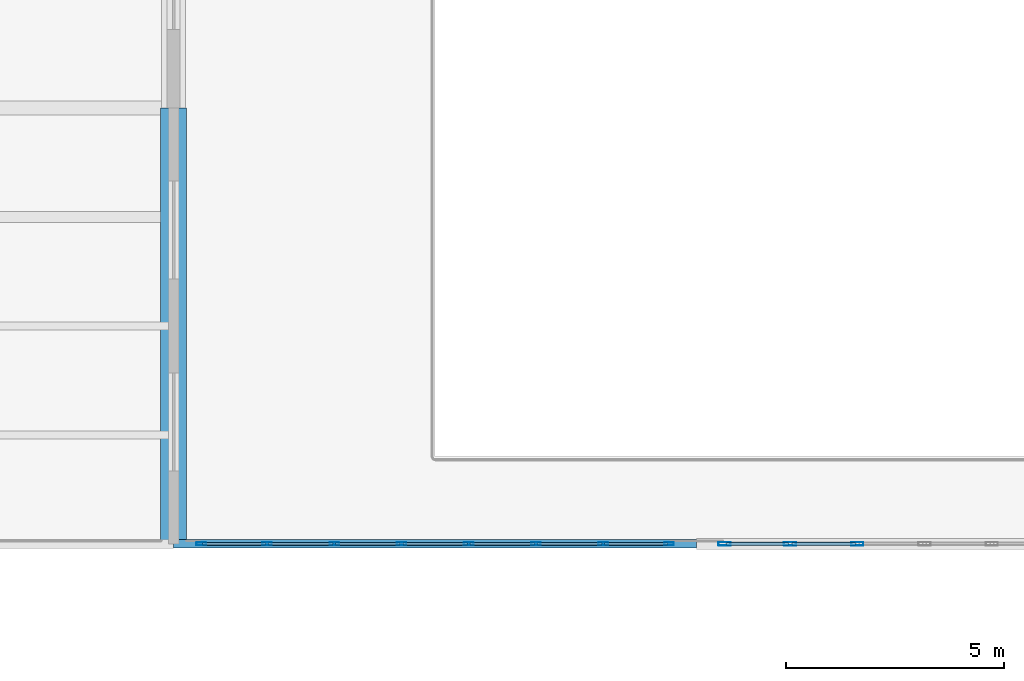
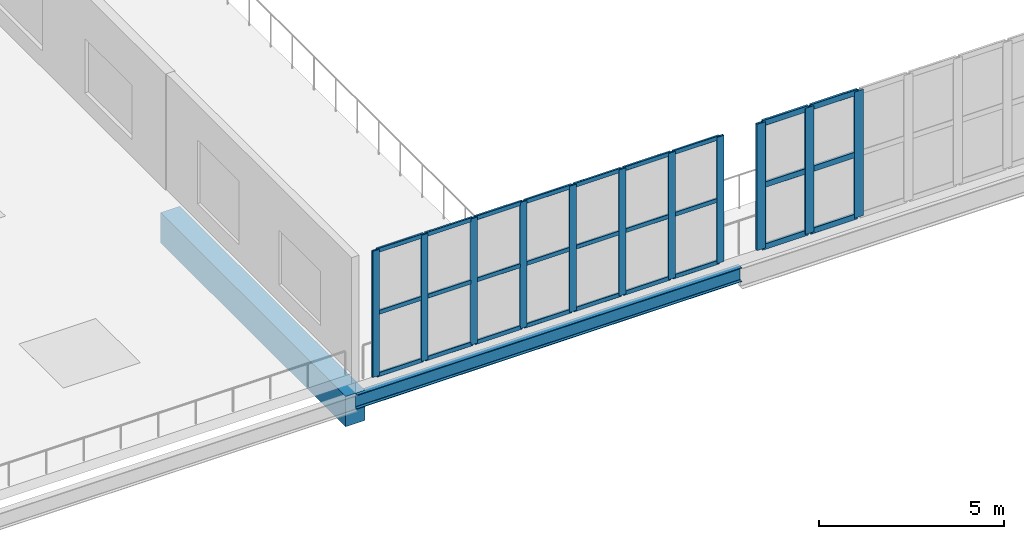
# One storey, part 3 of 90: 38 members, 2 beams, 2 elements without a shape of their own.
"""IFC4 building model written with IfcOpenShell, lengths in metres."""

from ifc_helpers import new_model, si_unit, direction, frame, origin, origin_2d, place, context, subcontext, project, spatial, rectangle, hollow_rectangle, i_section, extrude, material, layer, layer_set, material_profile, profile_set, type_object, element, aggregate, save


model = new_model("IFC4")

# Units and contexts
model_context = context("Model", 3, precision=1e-05, world=origin(), true_north=direction((0.0, 1.0)))
body_context = subcontext(model_context, "Body", "Model", "MODEL_VIEW")
ifc_project = project(units=[si_unit("LENGTHUNIT", "METRE"), si_unit("AREAUNIT", "SQUARE_METRE"), si_unit("VOLUMEUNIT", "CUBIC_METRE"), si_unit("PLANEANGLEUNIT", "RADIAN"), si_unit("MASSUNIT", "GRAM", prefix="KILO")], contexts=[model_context])

# Site, building, storey
site_placement = place(None, origin())
site = spatial("IfcSite", under=ifc_project, at=site_placement, CompositionType="ELEMENT")
building_placement = place(site_placement, origin())
building = spatial("IfcBuilding", under=site, at=building_placement, Name="Brinegate Civic Arena", CompositionType="ELEMENT")
storey_placement = place(building_placement, frame((0.0, 0.0, 14.699951171875)))
storey = spatial("IfcBuildingStorey", under=building, at=storey_placement, Name="L03", CompositionType="ELEMENT", Elevation=14.699951171875)

# Curtain wall, members
ifc_material_1 = material(Name="Marine grade aluminium", Category="aluminium")
ifc_layer = layer(ifc_material_1, 0.18505859375, Name="Marine grade aluminium")
ifc_layer_set = layer_set([ifc_layer], Name="Marine grade aluminium")
curtain_wall_type = type_object("IfcCurtainWallType", Name="CW-WING-GLAZED-03", PredefinedType="USERDEFINED", material=ifc_layer_set)
curtain_wall_1_placement = place(storey_placement, origin())
curtain_wall_1 = element("IfcCurtainWall", 1, at=curtain_wall_1_placement, inside=storey, type_object=curtain_wall_type, Name="Curtain Wall CWA-027", ObjectType="GLAZED CURTAIN WALL", PredefinedType="USERDEFINED")
ifc_material_profile_1 = material_profile(ifc_material_1, hollow_rectangle(XDim=0.06494140625, YDim=0.219970703125, WallThickness=0.006103515625, InnerFilletRadius=0.00390625, OuterFilletRadius=0.008056640625, at=origin_2d()), Name="MUL65X220")
ifc_profile_set_1 = profile_set([ifc_material_profile_1], Name="Marine grade aluminium")
member_type_1 = type_object("IfcMemberType", Name="CW-MULLION-65X220", PredefinedType="MULLION", material=ifc_profile_set_1)
member_1_placement = place(storey_placement, frame((12.632568359375, 10.0, 0.0), z_axis=(0.0, 0.0, 1.0), x_axis=(0.0, 1.0, 0.0)))
member_1 = element("IfcMember", 2, at=member_1_placement, type_object=member_type_1, Name="CWA-027 mullion 1", PredefinedType="MULLION", context=body_context, shape_type="SweptSolid", body=[
    extrude(hollow_rectangle(XDim=0.06494140625, YDim=0.219970703125, WallThickness=0.006103515625, InnerFilletRadius=0.00390625, OuterFilletRadius=0.008056640625, at=origin_2d()), origin(), (0.0, 0.0, 1.0), 4.16015625),
])
member_2_placement = place(storey_placement, frame((14.142822265625, 10.0, 0.0), z_axis=(0.0, 0.0, 1.0), x_axis=(0.0, 1.0, 0.0)))
member_2 = element("IfcMember", 3, at=member_2_placement, type_object=member_type_1, Name="CWA-027 mullion 2", PredefinedType="MULLION", context=body_context, shape_type="SweptSolid", body=[
    extrude(hollow_rectangle(XDim=0.06494140625, YDim=0.219970703125, WallThickness=0.006103515625, InnerFilletRadius=0.00390625, OuterFilletRadius=0.008056640625, at=origin_2d()), origin(), (0.0, 0.0, 1.0), 4.16015625),
])
member_3_placement = place(storey_placement, frame((15.685791015625, 10.0, 0.0), z_axis=(0.0, 0.0, 1.0), x_axis=(0.0, 1.0, 0.0)))
member_3 = element("IfcMember", 4, at=member_3_placement, type_object=member_type_1, Name="CWA-027 mullion 3", PredefinedType="MULLION", context=body_context, shape_type="SweptSolid", body=[
    extrude(hollow_rectangle(XDim=0.06494140625, YDim=0.219970703125, WallThickness=0.006103515625, InnerFilletRadius=0.00390625, OuterFilletRadius=0.008056640625, at=origin_2d()), origin(), (0.0, 0.0, 1.0), 4.16015625),
])
member_4_placement = place(storey_placement, frame((17.228515625, 10.0, 0.0), z_axis=(0.0, 0.0, 1.0), x_axis=(0.0, 1.0, 0.0)))
member_4 = element("IfcMember", 5, at=member_4_placement, type_object=member_type_1, Name="CWA-027 mullion 4", PredefinedType="MULLION", context=body_context, shape_type="SweptSolid", body=[
    extrude(hollow_rectangle(XDim=0.06494140625, YDim=0.219970703125, WallThickness=0.006103515625, InnerFilletRadius=0.00390625, OuterFilletRadius=0.008056640625, at=origin_2d()), origin(), (0.0, 0.0, 1.0), 4.16015625),
])
member_5_placement = place(storey_placement, frame((18.771484375, 10.0, 0.0), z_axis=(0.0, 0.0, 1.0), x_axis=(0.0, 1.0, 0.0)))
member_5 = element("IfcMember", 6, at=member_5_placement, type_object=member_type_1, Name="CWA-027 mullion 5", PredefinedType="MULLION", context=body_context, shape_type="SweptSolid", body=[
    extrude(hollow_rectangle(XDim=0.06494140625, YDim=0.219970703125, WallThickness=0.006103515625, InnerFilletRadius=0.00390625, OuterFilletRadius=0.008056640625, at=origin_2d()), origin(), (0.0, 0.0, 1.0), 4.16015625),
])
member_6_placement = place(storey_placement, frame((20.314208984375, 10.0, 0.0), z_axis=(0.0, 0.0, 1.0), x_axis=(0.0, 1.0, 0.0)))
member_6 = element("IfcMember", 7, at=member_6_placement, type_object=member_type_1, Name="CWA-027 mullion 6", PredefinedType="MULLION", context=body_context, shape_type="SweptSolid", body=[
    extrude(hollow_rectangle(XDim=0.06494140625, YDim=0.219970703125, WallThickness=0.006103515625, InnerFilletRadius=0.00390625, OuterFilletRadius=0.008056640625, at=origin_2d()), origin(), (0.0, 0.0, 1.0), 4.16015625),
])
member_7_placement = place(storey_placement, frame((21.857177734375, 10.0, 0.0), z_axis=(0.0, 0.0, 1.0), x_axis=(0.0, 1.0, 0.0)))
member_7 = element("IfcMember", 8, at=member_7_placement, type_object=member_type_1, Name="CWA-027 mullion 7", PredefinedType="MULLION", context=body_context, shape_type="SweptSolid", body=[
    extrude(hollow_rectangle(XDim=0.06494140625, YDim=0.219970703125, WallThickness=0.006103515625, InnerFilletRadius=0.00390625, OuterFilletRadius=0.008056640625, at=origin_2d()), origin(), (0.0, 0.0, 1.0), 4.16015625),
])
member_8_placement = place(storey_placement, frame((23.367431640625, 10.0, 0.0), z_axis=(0.0, 0.0, 1.0), x_axis=(0.0, 1.0, 0.0)))
member_8 = element("IfcMember", 9, at=member_8_placement, type_object=member_type_1, Name="CWA-027 mullion 8", PredefinedType="MULLION", context=body_context, shape_type="SweptSolid", body=[
    extrude(hollow_rectangle(XDim=0.06494140625, YDim=0.219970703125, WallThickness=0.006103515625, InnerFilletRadius=0.00390625, OuterFilletRadius=0.008056640625, at=origin_2d()), origin(), (0.0, 0.0, 1.0), 4.16015625),
])

curtain_wall_2_placement = place(storey_placement, origin())
curtain_wall_2 = element("IfcCurtainWall", 10, at=curtain_wall_2_placement, inside=storey, type_object=curtain_wall_type, Name="Curtain Wall CWA-029", ObjectType="GLAZED CURTAIN WALL", PredefinedType="USERDEFINED")
ifc_material_profile_2 = material_profile(ifc_material_1, hollow_rectangle(XDim=0.080078125, YDim=0.280029296875, WallThickness=0.007080078125, InnerFilletRadius=0.0048828125, OuterFilletRadius=0.010009765625, at=origin_2d()), Name="MUL80X280")
ifc_profile_set_2 = profile_set([ifc_material_profile_2], Name="Marine grade aluminium")
member_type_2 = type_object("IfcMemberType", Name="CW-MULLION-80X280", PredefinedType="MULLION", material=ifc_profile_set_2)
member_9_placement = place(storey_placement, frame((24.639892578125, 10.0, 0.0), z_axis=(0.0, 0.0, 1.0), x_axis=(0.0, 1.0, 0.0)))
member_9 = element("IfcMember", 11, at=member_9_placement, type_object=member_type_2, Name="CWA-029 mullion 1", PredefinedType="MULLION", context=body_context, shape_type="SweptSolid", body=[
    extrude(hollow_rectangle(XDim=0.080078125, YDim=0.280029296875, WallThickness=0.007080078125, InnerFilletRadius=0.0048828125, OuterFilletRadius=0.010009765625, at=origin_2d()), origin(), (0.0, 0.0, 1.0), 4.16015625),
])
member_10_placement = place(storey_placement, frame((26.142822265625, 10.0, 0.0), z_axis=(0.0, 0.0, 1.0), x_axis=(0.0, 1.0, 0.0)))
member_10 = element("IfcMember", 12, at=member_10_placement, type_object=member_type_2, Name="CWA-029 mullion 2", PredefinedType="MULLION", context=body_context, shape_type="SweptSolid", body=[
    extrude(hollow_rectangle(XDim=0.080078125, YDim=0.280029296875, WallThickness=0.007080078125, InnerFilletRadius=0.0048828125, OuterFilletRadius=0.010009765625, at=origin_2d()), origin(), (0.0, 0.0, 1.0), 4.16015625),
])
member_11_placement = place(storey_placement, frame((27.685791015625, 10.0, 0.0), z_axis=(0.0, 0.0, 1.0), x_axis=(0.0, 1.0, 0.0)))
member_11 = element("IfcMember", 13, at=member_11_placement, type_object=member_type_2, Name="CWA-029 mullion 3", PredefinedType="MULLION", context=body_context, shape_type="SweptSolid", body=[
    extrude(hollow_rectangle(XDim=0.080078125, YDim=0.280029296875, WallThickness=0.007080078125, InnerFilletRadius=0.0048828125, OuterFilletRadius=0.010009765625, at=origin_2d()), origin(), (0.0, 0.0, 1.0), 4.16015625),
])

# Member
ifc_material_profile_3 = material_profile(ifc_material_1, hollow_rectangle(XDim=0.06494140625, YDim=0.139892578125, WallThickness=0.0048828125, InnerFilletRadius=0.00390625, OuterFilletRadius=0.008056640625, at=origin_2d()), Name="TRN65X140")
ifc_profile_set_3 = profile_set([ifc_material_profile_3], Name="Marine grade aluminium")
member_type_3 = type_object("IfcMemberType", Name="CW-TRANSOM-65X140", PredefinedType="USERDEFINED", material=ifc_profile_set_3)
member_12_placement = place(storey_placement, frame((12.6650390625, 10.0, 0.032470703125), z_axis=(1.0, 0.0, 0.0), x_axis=(0.0, 1.0, 0.0)))
member_12 = element("IfcMember", 14, at=member_12_placement, type_object=member_type_3, Name="CWA-027 transom 1.1", ObjectType="TRANSOM", PredefinedType="USERDEFINED", context=body_context, shape_type="SweptSolid", body=[
    extrude(hollow_rectangle(XDim=0.06494140625, YDim=0.139892578125, WallThickness=0.0048828125, InnerFilletRadius=0.00390625, OuterFilletRadius=0.008056640625, at=origin_2d()), origin(), (0.0, 0.0, 1.0), 1.4453125),
])

member_13_placement = place(storey_placement, frame((12.6650390625, 10.0, 2.080078125), z_axis=(1.0, 0.0, 0.0), x_axis=(0.0, 1.0, 0.0)))
member_13 = element("IfcMember", 15, at=member_13_placement, type_object=member_type_3, Name="CWA-027 transom 1.2", ObjectType="TRANSOM", PredefinedType="USERDEFINED", context=body_context, shape_type="SweptSolid", body=[
    extrude(hollow_rectangle(XDim=0.06494140625, YDim=0.139892578125, WallThickness=0.0048828125, InnerFilletRadius=0.00390625, OuterFilletRadius=0.008056640625, at=origin_2d()), origin(), (0.0, 0.0, 1.0), 1.4453125),
])

member_14_placement = place(storey_placement, frame((12.6650390625, 10.0, 4.12744140625), z_axis=(1.0, 0.0, 0.0), x_axis=(0.0, 1.0, 0.0)))
member_14 = element("IfcMember", 16, at=member_14_placement, type_object=member_type_3, Name="CWA-027 transom 1.3", ObjectType="TRANSOM", PredefinedType="USERDEFINED", context=body_context, shape_type="SweptSolid", body=[
    extrude(hollow_rectangle(XDim=0.06494140625, YDim=0.139892578125, WallThickness=0.0048828125, InnerFilletRadius=0.00390625, OuterFilletRadius=0.008056640625, at=origin_2d()), origin(), (0.0, 0.0, 1.0), 1.4453125),
])

member_15_placement = place(storey_placement, frame((14.17529296875, 10.0, 0.032470703125), z_axis=(1.0, 0.0, 0.0), x_axis=(0.0, 1.0, 0.0)))
member_15 = element("IfcMember", 17, at=member_15_placement, type_object=member_type_3, Name="CWA-027 transom 2.1", ObjectType="TRANSOM", PredefinedType="USERDEFINED", context=body_context, shape_type="SweptSolid", body=[
    extrude(hollow_rectangle(XDim=0.06494140625, YDim=0.139892578125, WallThickness=0.0048828125, InnerFilletRadius=0.00390625, OuterFilletRadius=0.008056640625, at=origin_2d()), origin(), (0.0, 0.0, 1.0), 1.47802734375),
])

member_16_placement = place(storey_placement, frame((14.17529296875, 10.0, 2.080078125), z_axis=(1.0, 0.0, 0.0), x_axis=(0.0, 1.0, 0.0)))
member_16 = element("IfcMember", 18, at=member_16_placement, type_object=member_type_3, Name="CWA-027 transom 2.2", ObjectType="TRANSOM", PredefinedType="USERDEFINED", context=body_context, shape_type="SweptSolid", body=[
    extrude(hollow_rectangle(XDim=0.06494140625, YDim=0.139892578125, WallThickness=0.0048828125, InnerFilletRadius=0.00390625, OuterFilletRadius=0.008056640625, at=origin_2d()), origin(), (0.0, 0.0, 1.0), 1.47802734375),
])

member_17_placement = place(storey_placement, frame((14.17529296875, 10.0, 4.12744140625), z_axis=(1.0, 0.0, 0.0), x_axis=(0.0, 1.0, 0.0)))
member_17 = element("IfcMember", 19, at=member_17_placement, type_object=member_type_3, Name="CWA-027 transom 2.3", ObjectType="TRANSOM", PredefinedType="USERDEFINED", context=body_context, shape_type="SweptSolid", body=[
    extrude(hollow_rectangle(XDim=0.06494140625, YDim=0.139892578125, WallThickness=0.0048828125, InnerFilletRadius=0.00390625, OuterFilletRadius=0.008056640625, at=origin_2d()), origin(), (0.0, 0.0, 1.0), 1.47802734375),
])

member_18_placement = place(storey_placement, frame((15.71826171875, 10.0, 0.032470703125), z_axis=(1.0, 0.0, 0.0), x_axis=(0.0, 1.0, 0.0)))
member_18 = element("IfcMember", 20, at=member_18_placement, type_object=member_type_3, Name="CWA-027 transom 3.1", ObjectType="TRANSOM", PredefinedType="USERDEFINED", context=body_context, shape_type="SweptSolid", body=[
    extrude(hollow_rectangle(XDim=0.06494140625, YDim=0.139892578125, WallThickness=0.0048828125, InnerFilletRadius=0.00390625, OuterFilletRadius=0.008056640625, at=origin_2d()), origin(), (0.0, 0.0, 1.0), 1.477783203125),
])

member_19_placement = place(storey_placement, frame((15.71826171875, 10.0, 2.080078125), z_axis=(1.0, 0.0, 0.0), x_axis=(0.0, 1.0, 0.0)))
member_19 = element("IfcMember", 21, at=member_19_placement, type_object=member_type_3, Name="CWA-027 transom 3.2", ObjectType="TRANSOM", PredefinedType="USERDEFINED", context=body_context, shape_type="SweptSolid", body=[
    extrude(hollow_rectangle(XDim=0.06494140625, YDim=0.139892578125, WallThickness=0.0048828125, InnerFilletRadius=0.00390625, OuterFilletRadius=0.008056640625, at=origin_2d()), origin(), (0.0, 0.0, 1.0), 1.477783203125),
])

member_20_placement = place(storey_placement, frame((15.71826171875, 10.0, 4.12744140625), z_axis=(1.0, 0.0, 0.0), x_axis=(0.0, 1.0, 0.0)))
member_20 = element("IfcMember", 22, at=member_20_placement, type_object=member_type_3, Name="CWA-027 transom 3.3", ObjectType="TRANSOM", PredefinedType="USERDEFINED", context=body_context, shape_type="SweptSolid", body=[
    extrude(hollow_rectangle(XDim=0.06494140625, YDim=0.139892578125, WallThickness=0.0048828125, InnerFilletRadius=0.00390625, OuterFilletRadius=0.008056640625, at=origin_2d()), origin(), (0.0, 0.0, 1.0), 1.477783203125),
])

member_21_placement = place(storey_placement, frame((17.260986328125, 10.0, 0.032470703125), z_axis=(1.0, 0.0, 0.0), x_axis=(0.0, 1.0, 0.0)))
member_21 = element("IfcMember", 23, at=member_21_placement, type_object=member_type_3, Name="CWA-027 transom 4.1", ObjectType="TRANSOM", PredefinedType="USERDEFINED", context=body_context, shape_type="SweptSolid", body=[
    extrude(hollow_rectangle(XDim=0.06494140625, YDim=0.139892578125, WallThickness=0.0048828125, InnerFilletRadius=0.00390625, OuterFilletRadius=0.008056640625, at=origin_2d()), origin(), (0.0, 0.0, 1.0), 1.47802734375),
])

member_22_placement = place(storey_placement, frame((17.260986328125, 10.0, 2.080078125), z_axis=(1.0, 0.0, 0.0), x_axis=(0.0, 1.0, 0.0)))
member_22 = element("IfcMember", 24, at=member_22_placement, type_object=member_type_3, Name="CWA-027 transom 4.2", ObjectType="TRANSOM", PredefinedType="USERDEFINED", context=body_context, shape_type="SweptSolid", body=[
    extrude(hollow_rectangle(XDim=0.06494140625, YDim=0.139892578125, WallThickness=0.0048828125, InnerFilletRadius=0.00390625, OuterFilletRadius=0.008056640625, at=origin_2d()), origin(), (0.0, 0.0, 1.0), 1.47802734375),
])

member_23_placement = place(storey_placement, frame((17.260986328125, 10.0, 4.12744140625), z_axis=(1.0, 0.0, 0.0), x_axis=(0.0, 1.0, 0.0)))
member_23 = element("IfcMember", 25, at=member_23_placement, type_object=member_type_3, Name="CWA-027 transom 4.3", ObjectType="TRANSOM", PredefinedType="USERDEFINED", context=body_context, shape_type="SweptSolid", body=[
    extrude(hollow_rectangle(XDim=0.06494140625, YDim=0.139892578125, WallThickness=0.0048828125, InnerFilletRadius=0.00390625, OuterFilletRadius=0.008056640625, at=origin_2d()), origin(), (0.0, 0.0, 1.0), 1.47802734375),
])

member_24_placement = place(storey_placement, frame((18.803955078125, 10.0, 0.032470703125), z_axis=(1.0, 0.0, 0.0), x_axis=(0.0, 1.0, 0.0)))
member_24 = element("IfcMember", 26, at=member_24_placement, type_object=member_type_3, Name="CWA-027 transom 5.1", ObjectType="TRANSOM", PredefinedType="USERDEFINED", context=body_context, shape_type="SweptSolid", body=[
    extrude(hollow_rectangle(XDim=0.06494140625, YDim=0.139892578125, WallThickness=0.0048828125, InnerFilletRadius=0.00390625, OuterFilletRadius=0.008056640625, at=origin_2d()), origin(), (0.0, 0.0, 1.0), 1.477783203125),
])

member_25_placement = place(storey_placement, frame((18.803955078125, 10.0, 2.080078125), z_axis=(1.0, 0.0, 0.0), x_axis=(0.0, 1.0, 0.0)))
member_25 = element("IfcMember", 27, at=member_25_placement, type_object=member_type_3, Name="CWA-027 transom 5.2", ObjectType="TRANSOM", PredefinedType="USERDEFINED", context=body_context, shape_type="SweptSolid", body=[
    extrude(hollow_rectangle(XDim=0.06494140625, YDim=0.139892578125, WallThickness=0.0048828125, InnerFilletRadius=0.00390625, OuterFilletRadius=0.008056640625, at=origin_2d()), origin(), (0.0, 0.0, 1.0), 1.477783203125),
])

member_26_placement = place(storey_placement, frame((18.803955078125, 10.0, 4.12744140625), z_axis=(1.0, 0.0, 0.0), x_axis=(0.0, 1.0, 0.0)))
member_26 = element("IfcMember", 28, at=member_26_placement, type_object=member_type_3, Name="CWA-027 transom 5.3", ObjectType="TRANSOM", PredefinedType="USERDEFINED", context=body_context, shape_type="SweptSolid", body=[
    extrude(hollow_rectangle(XDim=0.06494140625, YDim=0.139892578125, WallThickness=0.0048828125, InnerFilletRadius=0.00390625, OuterFilletRadius=0.008056640625, at=origin_2d()), origin(), (0.0, 0.0, 1.0), 1.477783203125),
])

member_27_placement = place(storey_placement, frame((20.3466796875, 10.0, 0.032470703125), z_axis=(1.0, 0.0, 0.0), x_axis=(0.0, 1.0, 0.0)))
member_27 = element("IfcMember", 29, at=member_27_placement, type_object=member_type_3, Name="CWA-027 transom 6.1", ObjectType="TRANSOM", PredefinedType="USERDEFINED", context=body_context, shape_type="SweptSolid", body=[
    extrude(hollow_rectangle(XDim=0.06494140625, YDim=0.139892578125, WallThickness=0.0048828125, InnerFilletRadius=0.00390625, OuterFilletRadius=0.008056640625, at=origin_2d()), origin(), (0.0, 0.0, 1.0), 1.47802734375),
])

member_28_placement = place(storey_placement, frame((20.3466796875, 10.0, 2.080078125), z_axis=(1.0, 0.0, 0.0), x_axis=(0.0, 1.0, 0.0)))
member_28 = element("IfcMember", 30, at=member_28_placement, type_object=member_type_3, Name="CWA-027 transom 6.2", ObjectType="TRANSOM", PredefinedType="USERDEFINED", context=body_context, shape_type="SweptSolid", body=[
    extrude(hollow_rectangle(XDim=0.06494140625, YDim=0.139892578125, WallThickness=0.0048828125, InnerFilletRadius=0.00390625, OuterFilletRadius=0.008056640625, at=origin_2d()), origin(), (0.0, 0.0, 1.0), 1.47802734375),
])

member_29_placement = place(storey_placement, frame((20.3466796875, 10.0, 4.12744140625), z_axis=(1.0, 0.0, 0.0), x_axis=(0.0, 1.0, 0.0)))
member_29 = element("IfcMember", 31, at=member_29_placement, type_object=member_type_3, Name="CWA-027 transom 6.3", ObjectType="TRANSOM", PredefinedType="USERDEFINED", context=body_context, shape_type="SweptSolid", body=[
    extrude(hollow_rectangle(XDim=0.06494140625, YDim=0.139892578125, WallThickness=0.0048828125, InnerFilletRadius=0.00390625, OuterFilletRadius=0.008056640625, at=origin_2d()), origin(), (0.0, 0.0, 1.0), 1.47802734375),
])

member_30_placement = place(storey_placement, frame((21.8896484375, 10.0, 0.032470703125), z_axis=(1.0, 0.0, 0.0), x_axis=(0.0, 1.0, 0.0)))
member_30 = element("IfcMember", 32, at=member_30_placement, type_object=member_type_3, Name="CWA-027 transom 7.1", ObjectType="TRANSOM", PredefinedType="USERDEFINED", context=body_context, shape_type="SweptSolid", body=[
    extrude(hollow_rectangle(XDim=0.06494140625, YDim=0.139892578125, WallThickness=0.0048828125, InnerFilletRadius=0.00390625, OuterFilletRadius=0.008056640625, at=origin_2d()), origin(), (0.0, 0.0, 1.0), 1.4453125),
])

member_31_placement = place(storey_placement, frame((21.8896484375, 10.0, 2.080078125), z_axis=(1.0, 0.0, 0.0), x_axis=(0.0, 1.0, 0.0)))
member_31 = element("IfcMember", 33, at=member_31_placement, type_object=member_type_3, Name="CWA-027 transom 7.2", ObjectType="TRANSOM", PredefinedType="USERDEFINED", context=body_context, shape_type="SweptSolid", body=[
    extrude(hollow_rectangle(XDim=0.06494140625, YDim=0.139892578125, WallThickness=0.0048828125, InnerFilletRadius=0.00390625, OuterFilletRadius=0.008056640625, at=origin_2d()), origin(), (0.0, 0.0, 1.0), 1.4453125),
])

member_32_placement = place(storey_placement, frame((21.8896484375, 10.0, 4.12744140625), z_axis=(1.0, 0.0, 0.0), x_axis=(0.0, 1.0, 0.0)))
member_32 = element("IfcMember", 34, at=member_32_placement, type_object=member_type_3, Name="CWA-027 transom 7.3", ObjectType="TRANSOM", PredefinedType="USERDEFINED", context=body_context, shape_type="SweptSolid", body=[
    extrude(hollow_rectangle(XDim=0.06494140625, YDim=0.139892578125, WallThickness=0.0048828125, InnerFilletRadius=0.00390625, OuterFilletRadius=0.008056640625, at=origin_2d()), origin(), (0.0, 0.0, 1.0), 1.4453125),
])

aggregate(curtain_wall_1, [member_1, member_2, member_3, member_4, member_5, member_6, member_7, member_8, member_12, member_13, member_14, member_15, member_16, member_17, member_18, member_19, member_20, member_21, member_22, member_23, member_24, member_25, member_26, member_27, member_28, member_29, member_30, member_31, member_32])

ifc_material_profile_4 = material_profile(ifc_material_1, hollow_rectangle(XDim=0.074951171875, YDim=0.18994140625, WallThickness=0.006103515625, InnerFilletRadius=0.00390625, OuterFilletRadius=0.008056640625, at=origin_2d()), Name="TRN75X190")
ifc_profile_set_4 = profile_set([ifc_material_profile_4], Name="Marine grade aluminium")
member_type_4 = type_object("IfcMemberType", Name="CW-TRANSOM-75X190", PredefinedType="USERDEFINED", material=ifc_profile_set_4)
member_33_placement = place(storey_placement, frame((24.679931640625, 10.0, 0.03759765625), z_axis=(1.0, 0.0, 0.0), x_axis=(0.0, 1.0, 0.0)))
member_33 = element("IfcMember", 35, at=member_33_placement, type_object=member_type_4, Name="CWA-029 transom 1.1", ObjectType="TRANSOM", PredefinedType="USERDEFINED", context=body_context, shape_type="SweptSolid", body=[
    extrude(hollow_rectangle(XDim=0.074951171875, YDim=0.18994140625, WallThickness=0.006103515625, InnerFilletRadius=0.00390625, OuterFilletRadius=0.008056640625, at=origin_2d()), origin(), (0.0, 0.0, 1.0), 1.4228515625),
])

member_34_placement = place(storey_placement, frame((24.679931640625, 10.0, 2.080078125), z_axis=(1.0, 0.0, 0.0), x_axis=(0.0, 1.0, 0.0)))
member_34 = element("IfcMember", 36, at=member_34_placement, type_object=member_type_4, Name="CWA-029 transom 1.2", ObjectType="TRANSOM", PredefinedType="USERDEFINED", context=body_context, shape_type="SweptSolid", body=[
    extrude(hollow_rectangle(XDim=0.074951171875, YDim=0.18994140625, WallThickness=0.006103515625, InnerFilletRadius=0.00390625, OuterFilletRadius=0.008056640625, at=origin_2d()), origin(), (0.0, 0.0, 1.0), 1.4228515625),
])

member_35_placement = place(storey_placement, frame((24.679931640625, 10.0, 4.12255859375), z_axis=(1.0, 0.0, 0.0), x_axis=(0.0, 1.0, 0.0)))
member_35 = element("IfcMember", 37, at=member_35_placement, type_object=member_type_4, Name="CWA-029 transom 1.3", ObjectType="TRANSOM", PredefinedType="USERDEFINED", context=body_context, shape_type="SweptSolid", body=[
    extrude(hollow_rectangle(XDim=0.074951171875, YDim=0.18994140625, WallThickness=0.006103515625, InnerFilletRadius=0.00390625, OuterFilletRadius=0.008056640625, at=origin_2d()), origin(), (0.0, 0.0, 1.0), 1.4228515625),
])

member_36_placement = place(storey_placement, frame((26.182861328125, 10.0, 0.03759765625), z_axis=(1.0, 0.0, 0.0), x_axis=(0.0, 1.0, 0.0)))
member_36 = element("IfcMember", 38, at=member_36_placement, type_object=member_type_4, Name="CWA-029 transom 2.1", ObjectType="TRANSOM", PredefinedType="USERDEFINED", context=body_context, shape_type="SweptSolid", body=[
    extrude(hollow_rectangle(XDim=0.074951171875, YDim=0.18994140625, WallThickness=0.006103515625, InnerFilletRadius=0.00390625, OuterFilletRadius=0.008056640625, at=origin_2d()), origin(), (0.0, 0.0, 1.0), 1.462890625),
])

member_37_placement = place(storey_placement, frame((26.182861328125, 10.0, 2.080078125), z_axis=(1.0, 0.0, 0.0), x_axis=(0.0, 1.0, 0.0)))
member_37 = element("IfcMember", 39, at=member_37_placement, type_object=member_type_4, Name="CWA-029 transom 2.2", ObjectType="TRANSOM", PredefinedType="USERDEFINED", context=body_context, shape_type="SweptSolid", body=[
    extrude(hollow_rectangle(XDim=0.074951171875, YDim=0.18994140625, WallThickness=0.006103515625, InnerFilletRadius=0.00390625, OuterFilletRadius=0.008056640625, at=origin_2d()), origin(), (0.0, 0.0, 1.0), 1.462890625),
])

member_38_placement = place(storey_placement, frame((26.182861328125, 10.0, 4.12255859375), z_axis=(1.0, 0.0, 0.0), x_axis=(0.0, 1.0, 0.0)))
member_38 = element("IfcMember", 40, at=member_38_placement, type_object=member_type_4, Name="CWA-029 transom 2.3", ObjectType="TRANSOM", PredefinedType="USERDEFINED", context=body_context, shape_type="SweptSolid", body=[
    extrude(hollow_rectangle(XDim=0.074951171875, YDim=0.18994140625, WallThickness=0.006103515625, InnerFilletRadius=0.00390625, OuterFilletRadius=0.008056640625, at=origin_2d()), origin(), (0.0, 0.0, 1.0), 1.462890625),
])

aggregate(curtain_wall_2, [member_9, member_10, member_11, member_33, member_34, member_35, member_36, member_37, member_38])

# Beams
ifc_material_2 = material(Name="Concrete C50/60", Category="concrete")
ifc_material_profile_5 = material_profile(ifc_material_2, rectangle(XDim=0.60009765625, YDim=1.0, at=origin_2d()), Name="RCB600X1000")
ifc_profile_set_5 = profile_set([ifc_material_profile_5], Name="Concrete C50/60")
beam_type_1 = type_object("IfcBeamType", Name="RCG-600X1000", PredefinedType="BEAM", material=ifc_profile_set_5)
beam_1_placement = place(storey_placement, frame((12.0, 10.0, -0.849853515625), z_axis=(0.0, 1.0, 0.0), x_axis=(-1.0, 0.0, 0.0)))
element("IfcBeam", 41, at=beam_1_placement, inside=storey, type_object=beam_type_1, Name="Floor Girder BM-L03-GY-01-01", PredefinedType="BEAM", context=body_context, shape_type="SweptSolid", body=[
    extrude(rectangle(XDim=0.60009765625, YDim=1.0, at=origin_2d()), origin(), (0.0, 0.0, 1.0), 10.0),
])
ifc_material_3 = material(Name="Steel S355", Category="steel")
ifc_material_profile_6 = material_profile(ifc_material_3, i_section(OverallWidth=0.193115234375, OverallDepth=0.466064453125, WebThickness=0.010986328125, FlangeThickness=0.01904296875, FilletRadius=0.014892578125, at=origin_2d()), Name="W460X97")
ifc_profile_set_6 = profile_set([ifc_material_profile_6], Name="Steel S355")
beam_type_2 = type_object("IfcBeamType", Name="SPANDREL-W460X97", PredefinedType="SPANDREL", material=ifc_profile_set_6)
beam_2_placement = place(storey_placement, frame((12.0, 10.0, -0.5830078125), z_axis=(1.0, 0.0, 0.0), x_axis=(0.0, 1.0, 0.0)))
element("IfcBeam", 42, at=beam_2_placement, inside=storey, type_object=beam_type_2, Name="Floor Girder BM-L03-GX-01-01", PredefinedType="SPANDREL", context=body_context, shape_type="SweptSolid", body=[
    extrude(i_section(OverallWidth=0.193115234375, OverallDepth=0.466064453125, WebThickness=0.010986328125, FlangeThickness=0.01904296875, FilletRadius=0.014892578125, at=origin_2d()), origin(), (0.0, 0.0, 1.0), 12.0),
])

save(model, "model.ifc")
